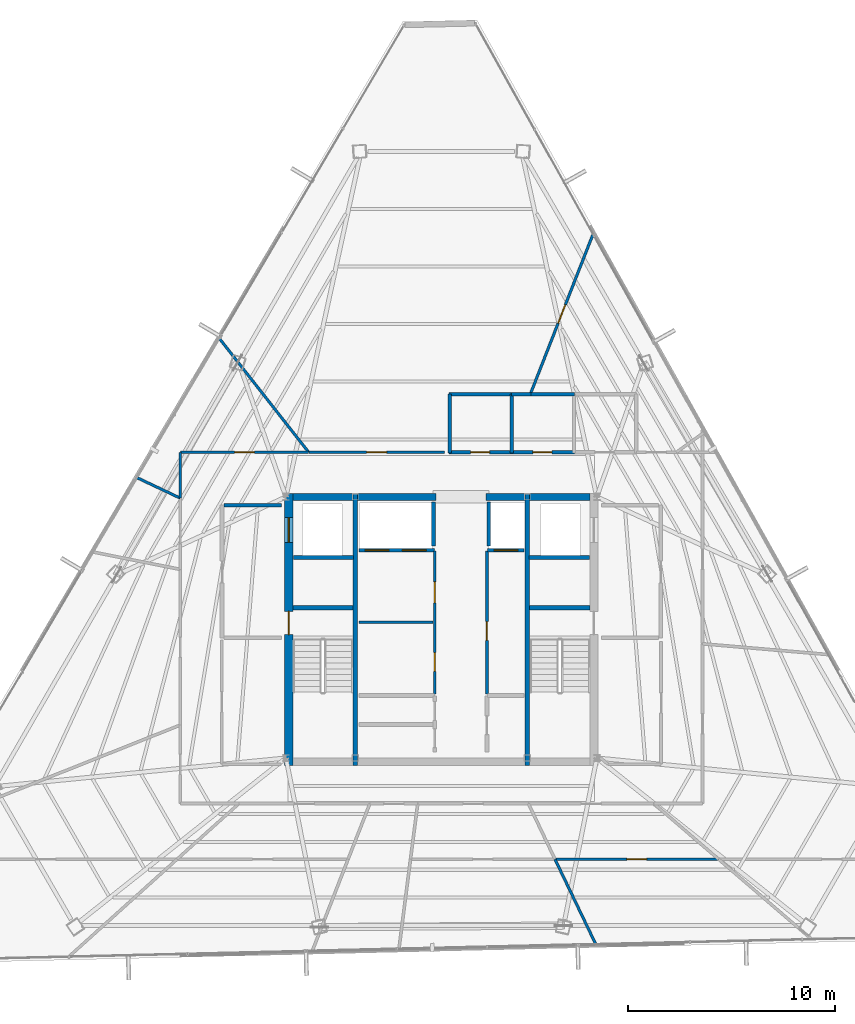
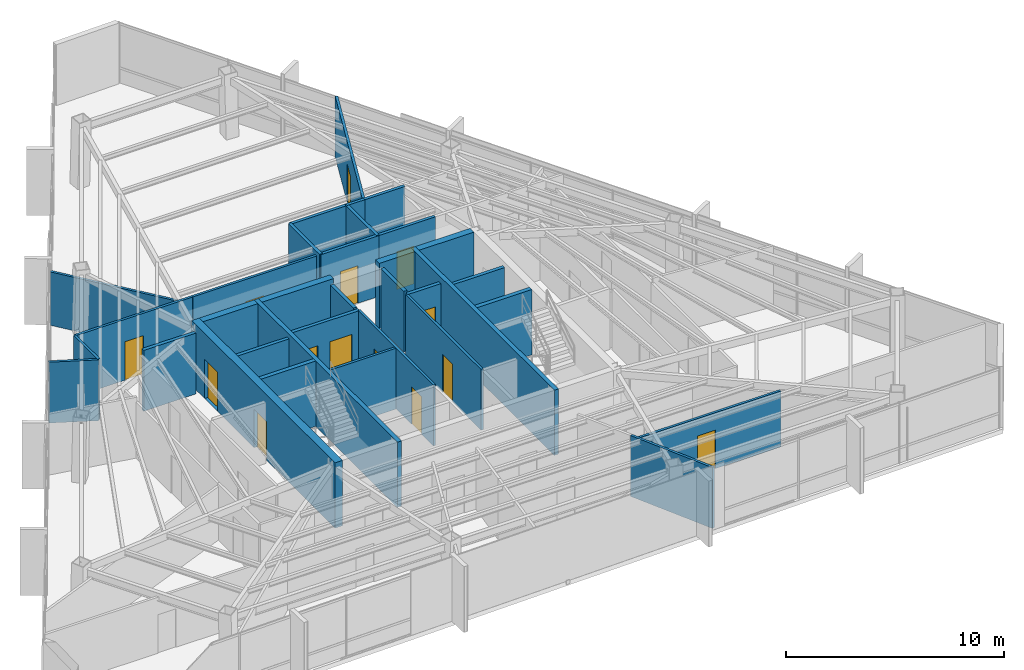
# One storey, part 42 of 46: 34 walls, 14 doors, 14 openings.
"""IFC4 building model written with IfcOpenShell, lengths in metres."""

from ifc_helpers import new_model, si_unit, direction, frame, frame_2d, origin, place, context, subcontext, project, spatial, rectangle, extrude, material, layer, layer_set, type_object, element, fill, save


model = new_model("IFC4")

# Units and contexts
model_context = context("Model", 3, precision=1e-05, world=origin(), true_north=direction((0.0, 1.0)))
body_context = subcontext(model_context, "Body", "Model", "MODEL_VIEW")
ifc_project = project(units=[si_unit("LENGTHUNIT", "METRE"), si_unit("AREAUNIT", "SQUARE_METRE"), si_unit("VOLUMEUNIT", "CUBIC_METRE"), si_unit("PLANEANGLEUNIT", "RADIAN"), si_unit("MASSUNIT", "GRAM", prefix="KILO")], contexts=[model_context])

# Site, building, storey
site_placement = place(None, origin())
site = spatial("IfcSite", under=ifc_project, at=site_placement, CompositionType="ELEMENT")
building_placement = place(site_placement, origin())
building = spatial("IfcBuilding", under=site, at=building_placement, Name="Caelisora Broadcast Tower", CompositionType="ELEMENT")
storey_placement = place(building_placement, frame((0.0, 0.0, 251.75)))
storey = spatial("IfcBuildingStorey", under=building, at=storey_placement, Name="L66", CompositionType="ELEMENT", Elevation=251.75)

# Wall, openings, doors
ifc_material_1 = material(Name="Concrete 40 MPa (AS 3600 N40)", Category="concrete")
ifc_layer_1 = layer(ifc_material_1, 0.39990234375, Name="Concrete 40 MPa (AS 3600 N40)")
ifc_layer_set_1 = layer_set([ifc_layer_1], Name="Concrete 40 MPa (AS 3600 N40)")
wall_type_1 = type_object("IfcWallType", Name="CW3", PredefinedType="SHEAR", material=ifc_layer_set_1)
wall_1_placement = place(storey_placement, frame((30.639892578125, 17.050048828125, 0.0), z_axis=(0.0, 0.0, 1.0), x_axis=(0.0, 1.0, 0.0)))
wall_1 = element("IfcWall", 1, at=wall_1_placement, inside=storey, type_object=wall_type_1, Name="L66 core shear wall CW3", PredefinedType="SHEAR", context=body_context, shape_type="SweptSolid", body=[
    extrude(rectangle(XDim=13.125, YDim=0.39990234375, at=frame_2d((6.5625, 0.0))), origin(), (0.0, 0.0, 1.0), 3.64990234375),
])
opening_1_placement = place(wall_1_placement, frame((6.300048828125, 0.0, 0.0)))
opening_1 = element("IfcOpeningElement", 2, at=opening_1_placement, cuts=wall_1, Name="Opening FD04", PredefinedType="OPENING", context=body_context, shape_type="SweptSolid", body=[
    extrude(rectangle(XDim=1.1201171875, YDim=2.14990234375, at=frame_2d((0.56005859375, 1.074951171875))), frame((0.0, 0.2119140625, 0.0), z_axis=(0.0, -1.0, 0.0), x_axis=(1.0, 0.0, 0.0)), (0.0, 0.0, 1.0), 0.423828125),
])
opening_2_placement = place(wall_1_placement, frame((10.75, 0.0, 0.0)))
opening_2 = element("IfcOpeningElement", 3, at=opening_2_placement, cuts=wall_1, Name="Opening LD04", PredefinedType="OPENING", context=body_context, shape_type="SweptSolid", body=[
    extrude(rectangle(XDim=1.199951171875, YDim=2.199951171875, at=frame_2d((0.60009765625, 1.10009765625))), frame((0.0, 0.2119140625, 0.0), z_axis=(0.0, -1.0, 0.0), x_axis=(1.0, 0.0, 0.0)), (0.0, 0.0, 1.0), 0.423828125),
])
ifc_material_2 = material(Name="Pressurised Fire-Isolated Stair Door", Category="steel")
door_type_1 = type_object("IfcDoorType", Name="FD04", OperationType="NOTDEFINED", PredefinedType="DOOR", material=ifc_material_2)
door_1_placement = place(opening_1_placement, origin())
door_1 = element("IfcDoor", 4, at=door_1_placement, inside=storey, type_object=door_type_1, Name="L66 door FD04 (L66-DR-ST1)", OperationType="SINGLE_SWING_LEFT", OverallHeight=2.14990234375, OverallWidth=1.1201171875, PredefinedType="DOOR", context=body_context, shape_type="SweptSolid", body=[
    extrude(rectangle(XDim=1.1201171875, YDim=2.14990234375, at=frame_2d((0.56005859375, 1.074951171875))), frame((0.0, 0.02490234375, 0.0), z_axis=(0.0, -1.0, 0.0), x_axis=(1.0, 0.0, 0.0)), (0.0, 0.0, 1.0), 0.050048828125),
])
fill(opening_1, door_1)
ifc_material_3 = material(Name="Emergency Firefighting Lift Sliding Landing Door", Category="steel")
door_type_2 = type_object("IfcDoorType", Name="LD04", OperationType="NOTDEFINED", PredefinedType="DOOR", material=ifc_material_3)
door_2_placement = place(opening_2_placement, origin())
door_2 = element("IfcDoor", 5, at=door_2_placement, inside=storey, type_object=door_type_2, Name="L66 door LD04 (L66-LD-FFL1)", OperationType="SLIDING_TO_LEFT", OverallHeight=2.199951171875, OverallWidth=1.199951171875, PredefinedType="DOOR", context=body_context, shape_type="SweptSolid", body=[
    extrude(rectangle(XDim=1.199951171875, YDim=2.199951171875, at=frame_2d((0.60009765625, 1.10009765625))), frame((0.0, 0.02490234375, 0.0), z_axis=(0.0, -1.0, 0.0), x_axis=(1.0, 0.0, 0.0)), (0.0, 0.0, 1.0), 0.050048828125),
])
fill(opening_2, door_2)

# Walls
ifc_layer_2 = layer(ifc_material_1, 0.35009765625, Name="Concrete 40 MPa (AS 3600 N40)")
ifc_layer_set_2 = layer_set([ifc_layer_2], Name="Concrete 40 MPa (AS 3600 N40)")
wall_type_2 = type_object("IfcWallType", Name="CW6", PredefinedType="SHEAR", material=ifc_layer_set_2)
wall_2_placement = place(storey_placement, frame((30.840087890625, 30.0, 0.0), z_axis=(0.0, 0.0, 1.0), x_axis=(1.0, 0.0, 0.0)))
element("IfcWall", 6, at=wall_2_placement, inside=storey, type_object=wall_type_2, Name="L66 core shear wall CW6", PredefinedType="SHEAR", context=body_context, shape_type="SweptSolid", body=[
    extrude(rectangle(XDim=2.89990234375, YDim=0.35009765625, at=frame_2d((1.449951171875, 0.0))), origin(), (0.0, 0.0, 1.0), 3.64990234375),
])
wall_3_placement = place(storey_placement, frame((33.9599609375, 30.0, 0.0), z_axis=(0.0, 0.0, 1.0), x_axis=(1.0, 0.0, 0.0)))
element("IfcWall", 7, at=wall_3_placement, inside=storey, type_object=wall_type_2, Name="L66 core shear wall CW6", PredefinedType="SHEAR", context=body_context, shape_type="SweptSolid", body=[
    extrude(rectangle(XDim=3.780029296875, YDim=0.35009765625, at=frame_2d((1.89013671875, 0.0))), origin(), (0.0, 0.0, 1.0), 3.64990234375),
])
wall_4_placement = place(storey_placement, frame((40.159912109375, 30.0, 0.0), z_axis=(0.0, 0.0, 1.0), x_axis=(1.0, 0.0, 0.0)))
element("IfcWall", 8, at=wall_4_placement, inside=storey, type_object=wall_type_2, Name="L66 core shear wall CW6", PredefinedType="SHEAR", context=body_context, shape_type="SweptSolid", body=[
    extrude(rectangle(XDim=1.880126953125, YDim=0.35009765625, at=frame_2d((0.93994140625, 0.0))), origin(), (0.0, 0.0, 1.0), 3.64990234375),
])
wall_5_placement = place(storey_placement, frame((42.260009765625, 30.0, 0.0), z_axis=(0.0, 0.0, 1.0), x_axis=(1.0, 0.0, 0.0)))
element("IfcWall", 9, at=wall_5_placement, inside=storey, type_object=wall_type_2, Name="L66 core shear wall CW6", PredefinedType="SHEAR", context=body_context, shape_type="SweptSolid", body=[
    extrude(rectangle(XDim=2.89990234375, YDim=0.35009765625, at=frame_2d((1.449951171875, 0.0))), origin(), (0.0, 0.0, 1.0), 3.64990234375),
])
ifc_material_4 = material(Name="Concrete 50 MPa (AS 3600 S50)", Category="concrete")
ifc_layer_3 = layer(ifc_material_4, 0.219970703125, Name="Concrete 50 MPa (AS 3600 S50)")
ifc_layer_set_3 = layer_set([ifc_layer_3], Name="Concrete 50 MPa (AS 3600 S50)")
wall_type_3 = type_object("IfcWallType", Name="CW7", PredefinedType="SHEAR", material=ifc_layer_set_3)
for number, where, z_axis, x_axis, name in (
    (10, (33.85009765625, 17.050048828125, 0.0), (0.0, 0.0, 1.0), (0.0, 1.0, 0.0), "L66 core shear wall CW7"),
    (11, (42.14990234375, 17.050048828125, 0.0), (0.0, 0.0, 1.0), (0.0, 1.0, 0.0), "L66 core shear wall CW7"),
):
    element("IfcWall", number, at=place(storey_placement, frame(where, z_axis=z_axis, x_axis=x_axis)), inside=storey, type_object=wall_type_3, Name=name, PredefinedType="SHEAR", context=body_context, shape_type="SweptSolid", body=[
        extrude(rectangle(XDim=13.125, YDim=0.219970703125, at=frame_2d((6.5625, 0.0))), origin(), (0.0, 0.0, 1.0), 3.64990234375),
    ])
for number, where, z_axis, x_axis, name in (
    (12, (30.840087890625, 24.639892578125, 0.0), (0.0, 0.0, 1.0), (1.0, 0.0, 0.0), "L66 core shear wall CW7"),
    (13, (42.260009765625, 24.639892578125, 0.0), (0.0, 0.0, 1.0), (1.0, 0.0, 0.0), "L66 core shear wall CW7"),
):
    element("IfcWall", number, at=place(storey_placement, frame(where, z_axis=z_axis, x_axis=x_axis)), inside=storey, type_object=wall_type_3, Name=name, PredefinedType="SHEAR", context=body_context, shape_type="SweptSolid", body=[
        extrude(rectangle(XDim=2.89990234375, YDim=0.219970703125, at=frame_2d((1.449951171875, 0.0))), origin(), (0.0, 0.0, 1.0), 3.64990234375),
    ])

# Wall, openings, doors
ifc_material_5 = material(Name="Fire-Rated Gypsum Shaft and Compartment Wall", Category="gypsum")
ifc_layer_4 = layer(ifc_material_5, 0.179931640625, Name="Fire-Rated Gypsum Shaft and Compartment Wall")
ifc_layer_set_4 = layer_set([ifc_layer_4], Name="Fire-Rated Gypsum Shaft and Compartment Wall")
wall_type_4 = type_object("IfcWallType", Name="PW2", PredefinedType="PARTITIONING", material=ifc_layer_set_4)
wall_6_placement = place(storey_placement, frame((34.02001953125, 27.419921875, 0.0), z_axis=(0.0, 0.0, 1.0), x_axis=(1.0, 0.0, 0.0)))
wall_6 = element("IfcWall", 14, at=wall_6_placement, inside=storey, type_object=wall_type_4, Name="L66 fire compartment wall PW2", PredefinedType="PARTITIONING", context=body_context, shape_type="SweptSolid", body=[
    extrude(rectangle(XDim=3.659912109375, YDim=0.179931640625, at=frame_2d((1.830078125, 0.0))), origin(), (0.0, 0.0, 1.0), 3.39990234375),
])
opening_3_placement = place(wall_6_placement, frame((0.300048828125, 0.0, 0.0)))
opening_3 = element("IfcOpeningElement", 15, at=opening_3_placement, cuts=wall_6, Name="Opening LD02", PredefinedType="OPENING", context=body_context, shape_type="SweptSolid", body=[
    extrude(rectangle(XDim=1.14990234375, YDim=2.199951171875, at=frame_2d((0.574951171875, 1.10009765625))), frame((0.0, 0.10205078125, 0.0), z_axis=(0.0, -1.0, 0.0), x_axis=(1.0, 0.0, 0.0)), (0.0, 0.0, 1.0), 0.203857421875),
])
opening_4_placement = place(wall_6_placement, frame((2.10009765625, 0.0, 0.0)))
opening_4 = element("IfcOpeningElement", 16, at=opening_4_placement, cuts=wall_6, Name="Opening LD02", PredefinedType="OPENING", context=body_context, shape_type="SweptSolid", body=[
    extrude(rectangle(XDim=1.14990234375, YDim=2.199951171875, at=frame_2d((0.574951171875, 1.10009765625))), frame((0.0, 0.10205078125, 0.0), z_axis=(0.0, -1.0, 0.0), x_axis=(1.0, 0.0, 0.0)), (0.0, 0.0, 1.0), 0.203857421875),
])
ifc_material_6 = material(Name="High-Speed Express Lift Sliding Landing Door", Category="steel")
door_type_3 = type_object("IfcDoorType", Name="LD02", OperationType="NOTDEFINED", PredefinedType="DOOR", material=ifc_material_6)
door_3_placement = place(opening_3_placement, origin())
door_3 = element("IfcDoor", 17, at=door_3_placement, inside=storey, type_object=door_type_3, Name="L66 door LD02 (L66-LD-PLH1)", OperationType="SLIDING_TO_RIGHT", OverallHeight=2.199951171875, OverallWidth=1.14990234375, PredefinedType="DOOR", context=body_context, shape_type="SweptSolid", body=[
    extrude(rectangle(XDim=1.14990234375, YDim=2.199951171875, at=frame_2d((0.574951171875, 1.10009765625))), frame((0.0, 0.02490234375, 0.0), z_axis=(0.0, -1.0, 0.0), x_axis=(1.0, 0.0, 0.0)), (0.0, 0.0, 1.0), 0.050048828125),
])
fill(opening_3, door_3)
door_4_placement = place(opening_4_placement, origin())
door_4 = element("IfcDoor", 18, at=door_4_placement, inside=storey, type_object=door_type_3, Name="L66 door LD02 (L66-LD-PLH2)", OperationType="SLIDING_TO_LEFT", OverallHeight=2.199951171875, OverallWidth=1.14990234375, PredefinedType="DOOR", context=body_context, shape_type="SweptSolid", body=[
    extrude(rectangle(XDim=1.14990234375, YDim=2.199951171875, at=frame_2d((0.574951171875, 1.10009765625))), frame((0.0, 0.02490234375, 0.0), z_axis=(0.0, -1.0, 0.0), x_axis=(1.0, 0.0, 0.0)), (0.0, 0.0, 1.0), 0.050048828125),
])
fill(opening_4, door_4)

# Wall, opening, door
wall_7_placement = place(storey_placement, frame((40.219970703125, 27.419921875, 0.0), z_axis=(0.0, 0.0, 1.0), x_axis=(1.0, 0.0, 0.0)))
wall_7 = element("IfcWall", 19, at=wall_7_placement, inside=storey, type_object=wall_type_4, Name="L66 fire compartment wall PW2", PredefinedType="PARTITIONING", context=body_context, shape_type="SweptSolid", body=[
    extrude(rectangle(XDim=1.760009765625, YDim=0.179931640625, at=frame_2d((0.8798828125, 0.0))), origin(), (0.0, 0.0, 1.0), 3.39990234375),
])
opening_5_placement = place(wall_7_placement, frame((0.320068359375, 0.0, 0.0)))
opening_5 = element("IfcOpeningElement", 20, at=opening_5_placement, cuts=wall_7, Name="Opening LD02", PredefinedType="OPENING", context=body_context, shape_type="SweptSolid", body=[
    extrude(rectangle(XDim=1.14990234375, YDim=2.199951171875, at=frame_2d((0.574951171875, 1.10009765625))), frame((0.0, 0.10205078125, 0.0), z_axis=(0.0, -1.0, 0.0), x_axis=(1.0, 0.0, 0.0)), (0.0, 0.0, 1.0), 0.203857421875),
])
door_5_placement = place(opening_5_placement, origin())
door_5 = element("IfcDoor", 21, at=door_5_placement, inside=storey, type_object=door_type_3, Name="L66 door LD02 (L66-LD-PLH3)", OperationType="SLIDING_TO_RIGHT", OverallHeight=2.199951171875, OverallWidth=1.14990234375, PredefinedType="DOOR", context=body_context, shape_type="SweptSolid", body=[
    extrude(rectangle(XDim=1.14990234375, YDim=2.199951171875, at=frame_2d((0.574951171875, 1.10009765625))), frame((0.0, 0.02490234375, 0.0), z_axis=(0.0, -1.0, 0.0), x_axis=(1.0, 0.0, 0.0)), (0.0, 0.0, 1.0), 0.050048828125),
])
fill(opening_5, door_5)

# Walls
for number, where, z_axis, x_axis, name in (
    (22, (37.6201171875, 27.639892578125, 0.0), (0.0, 0.0, 1.0), (0.0, 1.0, 0.0), "L66 fire compartment wall PW2"),
    (23, (40.280029296875, 27.639892578125, 0.0), (0.0, 0.0, 1.0), (0.0, 1.0, 0.0), "L66 fire compartment wall PW2"),
):
    element("IfcWall", number, at=place(storey_placement, frame(where, z_axis=z_axis, x_axis=x_axis)), inside=storey, type_object=wall_type_4, Name=name, PredefinedType="PARTITIONING", context=body_context, shape_type="SweptSolid", body=[
        extrude(rectangle(XDim=2.110107421875, YDim=0.179931640625, at=frame_2d((1.05517578125, 0.0))), origin(), (0.0, 0.0, 1.0), 3.39990234375),
    ])
wall_8_placement = place(storey_placement, frame((27.52001953125, 29.60009765625, 0.0), z_axis=(0.0, 0.0, 1.0), x_axis=(1.0, 0.0, 0.0)))
element("IfcWall", 24, at=wall_8_placement, inside=storey, type_object=wall_type_4, Name="L66 fire compartment wall PW2", PredefinedType="PARTITIONING", context=body_context, shape_type="SweptSolid", body=[
    extrude(rectangle(XDim=2.760009765625, YDim=0.179931640625, at=frame_2d((1.3798828125, 0.0))), origin(), (0.0, 0.0, 1.0), 3.39990234375),
])
for number, where, z_axis, x_axis, name in (
    (25, (30.860107421875, 27.070068359375, 0.0), (0.0, 0.0, 1.0), (1.0, 0.0, 0.0), "L66 fire compartment wall PW2"),
    (26, (42.239990234375, 27.070068359375, 0.0), (0.0, 0.0, 1.0), (1.0, 0.0, 0.0), "L66 fire compartment wall PW2"),
):
    element("IfcWall", number, at=place(storey_placement, frame(where, z_axis=z_axis, x_axis=x_axis)), inside=storey, type_object=wall_type_4, Name=name, PredefinedType="PARTITIONING", context=body_context, shape_type="SweptSolid", body=[
        extrude(rectangle(XDim=2.89990234375, YDim=0.179931640625, at=frame_2d((1.449951171875, 0.0))), origin(), (0.0, 0.0, 1.0), 3.39990234375),
    ])
ifc_material_7 = material(Name="Acoustic Steel-Stud Plasterboard Partition", Category="gypsum")
ifc_layer_5 = layer(ifc_material_7, 0.1298828125, Name="Acoustic Steel-Stud Plasterboard Partition")
ifc_layer_set_5 = layer_set([ifc_layer_5], Name="Acoustic Steel-Stud Plasterboard Partition")
wall_type_5 = type_object("IfcWallType", Name="PW3", PredefinedType="PARTITIONING", material=ifc_layer_set_5)
wall_9_placement = place(storey_placement, frame((34.02001953125, 23.949951171875, 0.0), z_axis=(0.0, 0.0, 1.0), x_axis=(1.0, 0.0, 0.0)))
element("IfcWall", 27, at=wall_9_placement, inside=storey, type_object=wall_type_5, Name="L66 internal partition PW3", PredefinedType="PARTITIONING", context=body_context, shape_type="SweptSolid", body=[
    extrude(rectangle(XDim=3.580078125, YDim=0.1298828125, at=frame_2d((1.7900390625, 0.0))), origin(), (0.0, 0.0, 1.0), 3.39990234375),
])

# Wall, openings, doors
wall_10_placement = place(storey_placement, frame((37.679931640625, 20.47998046875, 0.0), z_axis=(0.0, 0.0, 1.0), x_axis=(0.0, 1.0, 0.0)))
wall_10 = element("IfcWall", 28, at=wall_10_placement, inside=storey, type_object=wall_type_5, Name="L66 internal partition PW3", PredefinedType="PARTITIONING", context=body_context, shape_type="SweptSolid", body=[
    extrude(rectangle(XDim=6.89990234375, YDim=0.1298828125, at=frame_2d((3.449951171875, 0.0))), origin(), (0.0, 0.0, 1.0), 3.39990234375),
])
opening_6_placement = place(wall_10_placement, frame((1.10009765625, 0.0, 0.0)))
opening_6 = element("IfcOpeningElement", 29, at=opening_6_placement, cuts=wall_10, Name="Opening FD03", PredefinedType="OPENING", context=body_context, shape_type="SweptSolid", body=[
    extrude(rectangle(XDim=0.89990234375, YDim=2.10009765625, at=frame_2d((0.449951171875, 1.050048828125))), frame((0.0, 0.076904296875, 0.0), z_axis=(0.0, -1.0, 0.0), x_axis=(1.0, 0.0, 0.0)), (0.0, 0.0, 1.0), 0.15380859375),
])
opening_7_placement = place(wall_10_placement, frame((4.39990234375, 0.0, 0.0)))
opening_7 = element("IfcOpeningElement", 30, at=opening_7_placement, cuts=wall_10, Name="Opening D02", PredefinedType="OPENING", context=body_context, shape_type="SweptSolid", body=[
    extrude(rectangle(XDim=1.02001953125, YDim=2.14990234375, at=frame_2d((0.510009765625, 1.074951171875))), frame((0.0, 0.076904296875, 0.0), z_axis=(0.0, -1.0, 0.0), x_axis=(1.0, 0.0, 0.0)), (0.0, 0.0, 1.0), 0.15380859375),
])
ifc_material_8 = material(Name="Solid-Core Timber Archive Suite Door", Category="wood")
door_type_4 = type_object("IfcDoorType", Name="D02", OperationType="NOTDEFINED", PredefinedType="DOOR", material=ifc_material_8)
door_6_placement = place(opening_7_placement, origin())
door_6 = element("IfcDoor", 31, at=door_6_placement, inside=storey, type_object=door_type_4, Name="L66 door D02 (L66-DR-P12D2)", OperationType="SINGLE_SWING_RIGHT", OverallHeight=2.14990234375, OverallWidth=1.02001953125, PredefinedType="DOOR", context=body_context, shape_type="SweptSolid", body=[
    extrude(rectangle(XDim=1.02001953125, YDim=2.14990234375, at=frame_2d((0.510009765625, 1.074951171875))), frame((0.0, 0.02490234375, 0.0), z_axis=(0.0, -1.0, 0.0), x_axis=(1.0, 0.0, 0.0)), (0.0, 0.0, 1.0), 0.050048828125),
])
fill(opening_7, door_6)
ifc_material_9 = material(Name="Single-Leaf Steel Riser Fire Access Door", Category="steel")
door_type_5 = type_object("IfcDoorType", Name="FD03", OperationType="NOTDEFINED", PredefinedType="DOOR", material=ifc_material_9)
door_7_placement = place(opening_6_placement, origin())
door_7 = element("IfcDoor", 32, at=door_7_placement, inside=storey, type_object=door_type_5, Name="L66 door FD03 (L66-DR-P12D1)", OperationType="SINGLE_SWING_LEFT", OverallHeight=2.10009765625, OverallWidth=0.89990234375, PredefinedType="DOOR", context=body_context, shape_type="SweptSolid", body=[
    extrude(rectangle(XDim=0.89990234375, YDim=2.10009765625, at=frame_2d((0.449951171875, 1.050048828125))), frame((0.0, 0.02490234375, 0.0), z_axis=(0.0, -1.0, 0.0), x_axis=(1.0, 0.0, 0.0)), (0.0, 0.0, 1.0), 0.050048828125),
])
fill(opening_6, door_7)

# Wall, opening, door
wall_11_placement = place(storey_placement, frame((40.199951171875, 20.47998046875, 0.0), z_axis=(0.0, 0.0, 1.0), x_axis=(0.0, 1.0, 0.0)))
wall_11 = element("IfcWall", 33, at=wall_11_placement, inside=storey, type_object=wall_type_5, Name="L66 internal partition PW3", PredefinedType="PARTITIONING", context=body_context, shape_type="SweptSolid", body=[
    extrude(rectangle(XDim=6.89990234375, YDim=0.1298828125, at=frame_2d((3.449951171875, 0.0))), origin(), (0.0, 0.0, 1.0), 3.39990234375),
])
opening_8_placement = place(wall_11_placement, frame((2.60009765625, 0.0, 0.0)))
opening_8 = element("IfcOpeningElement", 34, at=opening_8_placement, cuts=wall_11, Name="Opening FD03", PredefinedType="OPENING", context=body_context, shape_type="SweptSolid", body=[
    extrude(rectangle(XDim=0.89990234375, YDim=2.10009765625, at=frame_2d((0.449951171875, 1.050048828125))), frame((0.0, 0.076904296875, 0.0), z_axis=(0.0, -1.0, 0.0), x_axis=(1.0, 0.0, 0.0)), (0.0, 0.0, 1.0), 0.15380859375),
])
door_8_placement = place(opening_8_placement, origin())
door_8 = element("IfcDoor", 35, at=door_8_placement, inside=storey, type_object=door_type_5, Name="L66 door FD03 (L66-DR-P13D1)", OperationType="SINGLE_SWING_LEFT", OverallHeight=2.10009765625, OverallWidth=0.89990234375, PredefinedType="DOOR", context=body_context, shape_type="SweptSolid", body=[
    extrude(rectangle(XDim=0.89990234375, YDim=2.10009765625, at=frame_2d((0.449951171875, 1.050048828125))), frame((0.0, 0.02490234375, 0.0), z_axis=(0.0, -1.0, 0.0), x_axis=(1.0, 0.0, 0.0)), (0.0, 0.0, 1.0), 0.050048828125),
])
fill(opening_8, door_8)

wall_12_placement = place(storey_placement, frame((42.2919921875, 34.955078125, 0.0), z_axis=(0.0, 0.0, 1.0), x_axis=(0.364837911117, 0.931071049175, 0.0)))
wall_12 = element("IfcWall", 36, at=wall_12_placement, inside=storey, type_object=wall_type_5, Name="L66 internal partition PW3", PredefinedType="PARTITIONING", context=body_context, shape_type="SweptSolid", body=[
    extrude(rectangle(XDim=8.311279296875, YDim=0.1298828125, at=frame_2d((4.15576171875, 0.0))), origin(), (0.0, 0.0, 1.0), 3.39990234375),
])
opening_9_placement = place(wall_12_placement, frame((3.675537109375, 0.0, 0.0)))
opening_9 = element("IfcOpeningElement", 37, at=opening_9_placement, cuts=wall_12, Name="Opening D01", PredefinedType="OPENING", context=body_context, shape_type="SweptSolid", body=[
    extrude(rectangle(XDim=0.9599609375, YDim=2.14990234375, at=frame_2d((0.47998046875, 1.074951171875))), frame((0.0, 0.076904296875, 0.0), z_axis=(0.0, -1.0, 0.0), x_axis=(1.0, 0.0, 0.0)), (0.0, 0.0, 1.0), 0.15380859375),
])
ifc_material_10 = material(Name="Solid-Core Timber Acoustic Office Door", Category="wood")
door_type_6 = type_object("IfcDoorType", Name="D01", OperationType="NOTDEFINED", PredefinedType="DOOR", material=ifc_material_10)
door_9_placement = place(opening_9_placement, origin())
door_9 = element("IfcDoor", 38, at=door_9_placement, inside=storey, type_object=door_type_6, Name="L66 door D01 (L66-DR-RSC01)", OperationType="SINGLE_SWING_LEFT", OverallHeight=2.14990234375, OverallWidth=0.9599609375, PredefinedType="DOOR", context=body_context, shape_type="SweptSolid", body=[
    extrude(rectangle(XDim=0.9599609375, YDim=2.14990234375, at=frame_2d((0.47998046875, 1.074951171875))), frame((0.0, 0.02490234375, 0.0), z_axis=(0.0, -1.0, 0.0), x_axis=(1.0, 0.0, 0.0)), (0.0, 0.0, 1.0), 0.050048828125),
])
fill(opening_9, door_9)

wall_13_placement = place(storey_placement, frame((43.485107421875, 12.52001953125, 0.0), z_axis=(0.0, 0.0, 1.0), x_axis=(1.0, 0.0, 0.0)))
wall_13 = element("IfcWall", 39, at=wall_13_placement, inside=storey, type_object=wall_type_5, Name="L66 internal partition PW3", PredefinedType="PARTITIONING", context=body_context, shape_type="SweptSolid", body=[
    extrude(rectangle(XDim=7.8798828125, YDim=0.1298828125, at=frame_2d((3.93994140625, 0.0))), origin(), (0.0, 0.0, 1.0), 3.12890625),
])
opening_10_placement = place(wall_13_placement, frame((3.4599609375, 0.0, 0.0)))
opening_10 = element("IfcOpeningElement", 40, at=opening_10_placement, cuts=wall_13, Name="Opening D01", PredefinedType="OPENING", context=body_context, shape_type="SweptSolid", body=[
    extrude(rectangle(XDim=0.9599609375, YDim=2.14990234375, at=frame_2d((0.47998046875, 1.074951171875))), frame((0.0, 0.076904296875, 0.0), z_axis=(0.0, -1.0, 0.0), x_axis=(1.0, 0.0, 0.0)), (0.0, 0.0, 1.0), 0.15380859375),
])
door_10_placement = place(opening_10_placement, origin())
door_10 = element("IfcDoor", 41, at=door_10_placement, inside=storey, type_object=door_type_6, Name="L66 door D01 (L66-DR-P37D1)", OperationType="SINGLE_SWING_RIGHT", OverallHeight=2.14990234375, OverallWidth=0.9599609375, PredefinedType="DOOR", context=body_context, shape_type="SweptSolid", body=[
    extrude(rectangle(XDim=0.9599609375, YDim=2.14990234375, at=frame_2d((0.47998046875, 1.074951171875))), frame((0.0, 0.02490234375, 0.0), z_axis=(0.0, -1.0, 0.0), x_axis=(1.0, 0.0, 0.0)), (0.0, 0.0, 1.0), 0.050048828125),
])
fill(opening_10, door_10)

# Wall
wall_14_placement = place(storey_placement, frame((27.281494140625, 37.651611328125, 0.0), z_axis=(0.0, 0.0, 1.0), x_axis=(0.617460484655, -0.786601900512, 0.0)))
element("IfcWall", 42, at=wall_14_placement, inside=storey, type_object=wall_type_5, Name="L66 internal partition PW3", PredefinedType="PARTITIONING", context=body_context, shape_type="SweptSolid", body=[
    extrude(rectangle(XDim=6.989013671875, YDim=0.1298828125, at=frame_2d((3.49462890625, 0.0))), origin(), (0.0, 0.0, 1.0), 2.985107421875),
])

# Wall, opening, door
wall_15_placement = place(storey_placement, frame((31.60498046875, 32.14990234375, 0.0), z_axis=(0.0, 0.0, 1.0), x_axis=(1.0, 0.0, 0.0)))
wall_15 = element("IfcWall", 43, at=wall_15_placement, inside=storey, type_object=wall_type_5, Name="L66 internal partition PW3", PredefinedType="PARTITIONING", context=body_context, shape_type="SweptSolid", body=[
    extrude(rectangle(XDim=6.5400390625, YDim=0.1298828125, at=frame_2d((3.27001953125, 0.0))), origin(), (0.0, 0.0, 1.0), 3.39990234375),
])
opening_11_placement = place(wall_15_placement, frame((2.7900390625, 0.0, 0.0)))
opening_11 = element("IfcOpeningElement", 44, at=opening_11_placement, cuts=wall_15, Name="Opening D01", PredefinedType="OPENING", context=body_context, shape_type="SweptSolid", body=[
    extrude(rectangle(XDim=0.9599609375, YDim=2.14990234375, at=frame_2d((0.47998046875, 1.074951171875))), frame((0.0, 0.076904296875, 0.0), z_axis=(0.0, -1.0, 0.0), x_axis=(1.0, 0.0, 0.0)), (0.0, 0.0, 1.0), 0.15380859375),
])
door_11_placement = place(opening_11_placement, origin())
door_11 = element("IfcDoor", 45, at=door_11_placement, inside=storey, type_object=door_type_6, Name="L66 door D01 (L66-DR-P43D1)", OperationType="SINGLE_SWING_RIGHT", OverallHeight=2.14990234375, OverallWidth=0.9599609375, PredefinedType="DOOR", context=body_context, shape_type="SweptSolid", body=[
    extrude(rectangle(XDim=0.9599609375, YDim=2.14990234375, at=frame_2d((0.47998046875, 1.074951171875))), frame((0.0, 0.02490234375, 0.0), z_axis=(0.0, -1.0, 0.0), x_axis=(1.0, 0.0, 0.0)), (0.0, 0.0, 1.0), 0.050048828125),
])
fill(opening_11, door_11)

wall_16_placement = place(storey_placement, frame((25.405029296875, 32.14990234375, 0.0), z_axis=(0.0, 0.0, 1.0), x_axis=(1.0, 0.0, 0.0)))
wall_16 = element("IfcWall", 46, at=wall_16_placement, inside=storey, type_object=wall_type_5, Name="L66 internal partition PW3", PredefinedType="PARTITIONING", context=body_context, shape_type="SweptSolid", body=[
    extrude(rectangle(XDim=6.18994140625, YDim=0.1298828125, at=frame_2d((3.094970703125, 0.0))), origin(), (0.0, 0.0, 1.0), 3.39990234375),
])
opening_12_placement = place(wall_16_placement, frame((2.614990234375, 0.0, 0.0)))
opening_12 = element("IfcOpeningElement", 47, at=opening_12_placement, cuts=wall_16, Name="Opening D01", PredefinedType="OPENING", context=body_context, shape_type="SweptSolid", body=[
    extrude(rectangle(XDim=0.9599609375, YDim=2.14990234375, at=frame_2d((0.47998046875, 1.074951171875))), frame((0.0, 0.076904296875, 0.0), z_axis=(0.0, -1.0, 0.0), x_axis=(1.0, 0.0, 0.0)), (0.0, 0.0, 1.0), 0.15380859375),
])
door_12_placement = place(opening_12_placement, origin())
door_12 = element("IfcDoor", 48, at=door_12_placement, inside=storey, type_object=door_type_6, Name="L66 door D01 (L66-DR-P46D1)", OperationType="SINGLE_SWING_RIGHT", OverallHeight=2.14990234375, OverallWidth=0.9599609375, PredefinedType="DOOR", context=body_context, shape_type="SweptSolid", body=[
    extrude(rectangle(XDim=0.9599609375, YDim=2.14990234375, at=frame_2d((0.47998046875, 1.074951171875))), frame((0.0, 0.02490234375, 0.0), z_axis=(0.0, -1.0, 0.0), x_axis=(1.0, 0.0, 0.0)), (0.0, 0.0, 1.0), 0.050048828125),
])
fill(opening_12, door_12)

# Walls
wall_17_placement = place(storey_placement, frame((43.48193359375, 12.514892578125, 0.0), z_axis=(0.0, 0.0, 1.0), x_axis=(0.432708454096, -0.901533911594, 0.0)))
element("IfcWall", 49, at=wall_17_placement, inside=storey, type_object=wall_type_5, Name="L66 internal partition PW3", PredefinedType="PARTITIONING", context=body_context, shape_type="SweptSolid", body=[
    extrude(rectangle(XDim=4.562744140625, YDim=0.1298828125, at=frame_2d((2.28125, 0.0))), origin(), (0.0, 0.0, 1.0), 3.39990234375),
])
wall_18_placement = place(storey_placement, frame((23.311279296875, 30.9267578125, 0.0), z_axis=(0.0, 0.0, 1.0), x_axis=(0.90410203084, -0.427316648203, 0.0)))
element("IfcWall", 50, at=wall_18_placement, inside=storey, type_object=wall_type_5, Name="L66 internal partition PW3", PredefinedType="PARTITIONING", context=body_context, shape_type="SweptSolid", body=[
    extrude(rectangle(XDim=2.3046875, YDim=0.1298828125, at=frame_2d((1.15234375, 0.0))), origin(), (0.0, 0.0, 1.0), 3.39990234375),
])
wall_19_placement = place(storey_placement, frame((25.39990234375, 29.945068359375, 0.0), z_axis=(0.0, 0.0, 1.0), x_axis=(0.0, 1.0, 0.0)))
element("IfcWall", 51, at=wall_19_placement, inside=storey, type_object=wall_type_5, Name="L66 internal partition PW3", PredefinedType="PARTITIONING", context=body_context, shape_type="SweptSolid", body=[
    extrude(rectangle(XDim=2.199951171875, YDim=0.1298828125, at=frame_2d((1.10009765625, 0.0))), origin(), (0.0, 0.0, 1.0), 3.39990234375),
])

# Wall, opening, door
ifc_material_11 = material(Name="Moisture-Resistant Wet Plumbing Service Wall", Category="gypsum")
ifc_layer_6 = layer(ifc_material_11, 0.159912109375, Name="Moisture-Resistant Wet Plumbing Service Wall")
ifc_layer_set_6 = layer_set([ifc_layer_6], Name="Moisture-Resistant Wet Plumbing Service Wall")
wall_type_6 = type_object("IfcWallType", Name="PW4", PredefinedType="PLUMBINGWALL", material=ifc_layer_set_6)
wall_20_placement = place(storey_placement, frame((38.375, 32.14990234375, 0.0), z_axis=(0.0, 0.0, 1.0), x_axis=(1.0, 0.0, 0.0)))
wall_20 = element("IfcWall", 52, at=wall_20_placement, inside=storey, type_object=wall_type_6, Name="L66 wet plumbing wall PW4", PredefinedType="PLUMBINGWALL", context=body_context, shape_type="SweptSolid", body=[
    extrude(rectangle(XDim=3.050048828125, YDim=0.159912109375, at=frame_2d((1.52490234375, 0.0))), origin(), (0.0, 0.0, 1.0), 3.39990234375),
])
opening_13_placement = place(wall_20_placement, frame((1.034912109375, 0.0, 0.0)))
opening_13 = element("IfcOpeningElement", 53, at=opening_13_placement, cuts=wall_20, Name="Opening D03", PredefinedType="OPENING", context=body_context, shape_type="SweptSolid", body=[
    extrude(rectangle(XDim=0.919921875, YDim=2.10009765625, at=frame_2d((0.4599609375, 1.050048828125))), frame((0.0, 0.092041015625, 0.0), z_axis=(0.0, -1.0, 0.0), x_axis=(1.0, 0.0, 0.0)), (0.0, 0.0, 1.0), 0.183837890625),
])
ifc_material_12 = material(Name="Laminate Moisture-Resistant Amenity WC Door", Category="wood")
door_type_7 = type_object("IfcDoorType", Name="D03", OperationType="NOTDEFINED", PredefinedType="DOOR", material=ifc_material_12)
door_13_placement = place(opening_13_placement, origin())
door_13 = element("IfcDoor", 54, at=door_13_placement, inside=storey, type_object=door_type_7, Name="L66 door D03 (L66-DR-P17D1)", OperationType="SINGLE_SWING_LEFT", OverallHeight=2.10009765625, OverallWidth=0.919921875, PredefinedType="DOOR", context=body_context, shape_type="SweptSolid", body=[
    extrude(rectangle(XDim=0.919921875, YDim=2.10009765625, at=frame_2d((0.4599609375, 1.050048828125))), frame((0.0, 0.02490234375, 0.0), z_axis=(0.0, -1.0, 0.0), x_axis=(1.0, 0.0, 0.0)), (0.0, 0.0, 1.0), 0.050048828125),
])
fill(opening_13, door_13)

wall_21_placement = place(storey_placement, frame((41.375, 32.14990234375, 0.0), z_axis=(0.0, 0.0, 1.0), x_axis=(1.0, 0.0, 0.0)))
wall_21 = element("IfcWall", 55, at=wall_21_placement, inside=storey, type_object=wall_type_6, Name="L66 wet plumbing wall PW4", PredefinedType="PLUMBINGWALL", context=body_context, shape_type="SweptSolid", body=[
    extrude(rectangle(XDim=3.050048828125, YDim=0.159912109375, at=frame_2d((1.52490234375, 0.0))), origin(), (0.0, 0.0, 1.0), 3.39990234375),
])
opening_14_placement = place(wall_21_placement, frame((1.034912109375, 0.0, 0.0)))
opening_14 = element("IfcOpeningElement", 56, at=opening_14_placement, cuts=wall_21, Name="Opening D03", PredefinedType="OPENING", context=body_context, shape_type="SweptSolid", body=[
    extrude(rectangle(XDim=0.919921875, YDim=2.10009765625, at=frame_2d((0.4599609375, 1.050048828125))), frame((0.0, 0.092041015625, 0.0), z_axis=(0.0, -1.0, 0.0), x_axis=(1.0, 0.0, 0.0)), (0.0, 0.0, 1.0), 0.183837890625),
])
door_14_placement = place(opening_14_placement, origin())
door_14 = element("IfcDoor", 57, at=door_14_placement, inside=storey, type_object=door_type_7, Name="L66 door D03 (L66-DR-P18D1)", OperationType="SINGLE_SWING_RIGHT", OverallHeight=2.10009765625, OverallWidth=0.919921875, PredefinedType="DOOR", context=body_context, shape_type="SweptSolid", body=[
    extrude(rectangle(XDim=0.919921875, YDim=2.10009765625, at=frame_2d((0.4599609375, 1.050048828125))), frame((0.0, 0.02490234375, 0.0), z_axis=(0.0, -1.0, 0.0), x_axis=(1.0, 0.0, 0.0)), (0.0, 0.0, 1.0), 0.050048828125),
])
fill(opening_14, door_14)

# Walls
wall_22_placement = place(storey_placement, frame((38.375, 34.949951171875, 0.0), z_axis=(0.0, 0.0, 1.0), x_axis=(1.0, 0.0, 0.0)))
element("IfcWall", 58, at=wall_22_placement, inside=storey, type_object=wall_type_6, Name="L66 wet plumbing wall PW4", PredefinedType="PLUMBINGWALL", context=body_context, shape_type="SweptSolid", body=[
    extrude(rectangle(XDim=3.050048828125, YDim=0.159912109375, at=frame_2d((1.52490234375, 0.0))), origin(), (0.0, 0.0, 1.0), 3.39990234375),
])
for number, where, z_axis, x_axis, name in (
    (59, (41.39990234375, 32.125, 0.0), (0.0, 0.0, 1.0), (0.0, 1.0, 0.0), "L66 wet plumbing wall PW4"),
    (60, (38.39990234375, 32.125, 0.0), (0.0, 0.0, 1.0), (0.0, 1.0, 0.0), "L66 wet plumbing wall PW4"),
):
    element("IfcWall", number, at=place(storey_placement, frame(where, z_axis=z_axis, x_axis=x_axis)), inside=storey, type_object=wall_type_6, Name=name, PredefinedType="PLUMBINGWALL", context=body_context, shape_type="SweptSolid", body=[
        extrude(rectangle(XDim=2.85009765625, YDim=0.159912109375, at=frame_2d((1.425048828125, 0.0))), origin(), (0.0, 0.0, 1.0), 3.39990234375),
    ])
wall_23_placement = place(storey_placement, frame((42.264892578125, 34.949951171875, 0.0), z_axis=(0.0, 0.0, 1.0), x_axis=(1.0, 0.0, 0.0)))
element("IfcWall", 61, at=wall_23_placement, inside=storey, type_object=wall_type_6, Name="L66 wet plumbing wall PW4", PredefinedType="PLUMBINGWALL", context=body_context, shape_type="SweptSolid", body=[
    extrude(rectangle(XDim=2.16015625, YDim=0.159912109375, at=frame_2d((1.080078125, 0.0))), origin(), (0.0, 0.0, 1.0), 3.39990234375),
])
wall_24_placement = place(storey_placement, frame((41.375, 34.949951171875, 0.0), z_axis=(0.0, 0.0, 1.0), x_axis=(1.0, 0.0, 0.0)))
element("IfcWall", 62, at=wall_24_placement, inside=storey, type_object=wall_type_6, Name="L66 wet plumbing wall PW4", PredefinedType="PLUMBINGWALL", context=body_context, shape_type="SweptSolid", body=[
    extrude(rectangle(XDim=0.93994140625, YDim=0.159912109375, at=frame_2d((0.469970703125, 0.0))), origin(), (0.0, 0.0, 1.0), 3.39990234375),
])

save(model, "model.ifc")
